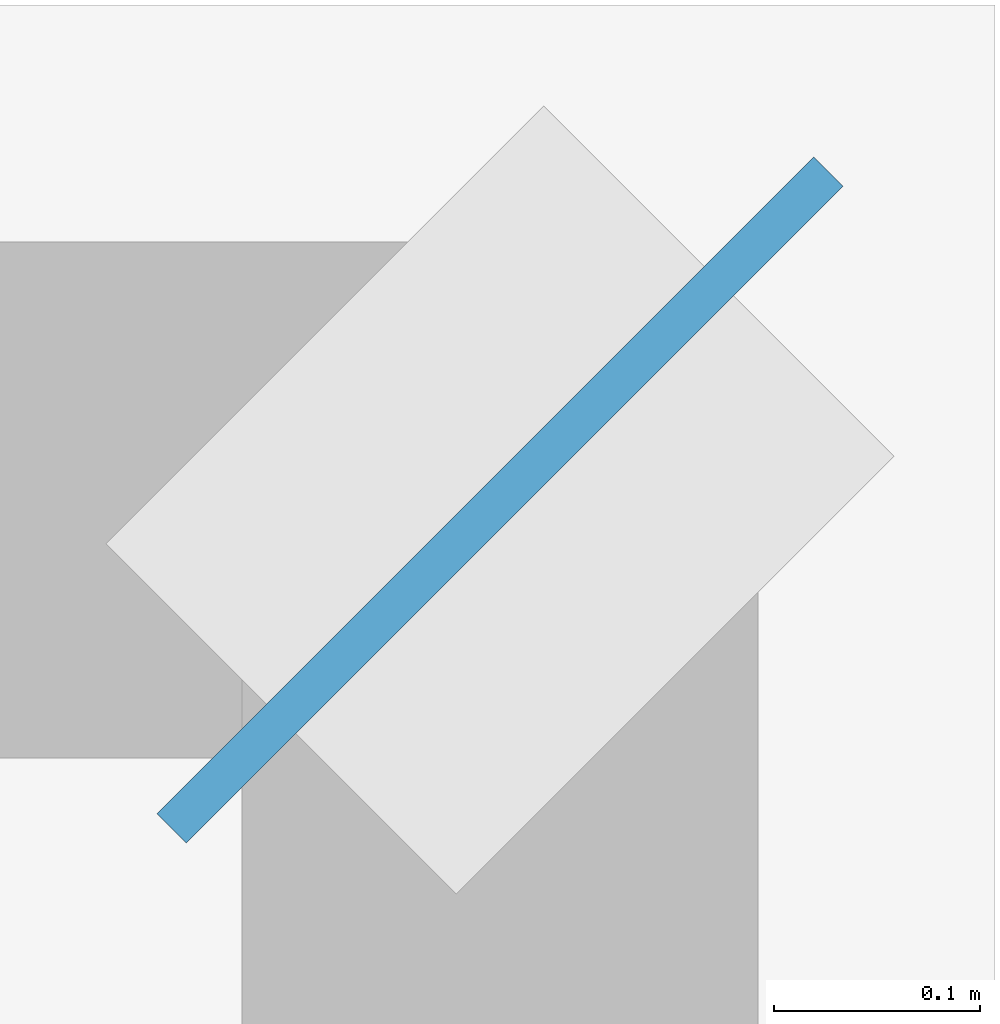
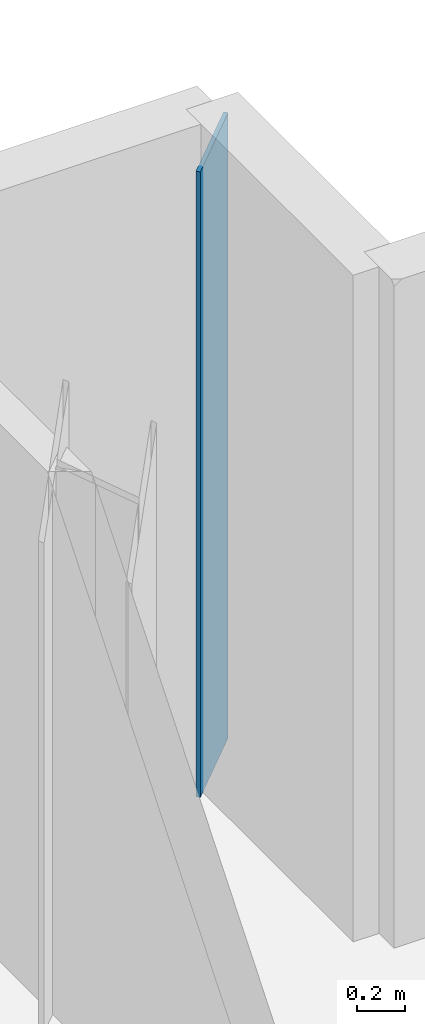
# One storey, part 35 of 43: 1 plate.
"""IFC4 building model written with IfcOpenShell, lengths in metres."""

from ifc_helpers import new_model, si_unit, direction, frame, origin, origin_2d, place, context, subcontext, project, spatial, rectangle, extrude, source, transform, mapped, material, layer, layer_set, type_object, element, save


model = new_model("IFC4")

# Units and contexts
model_context = context("Model", 3, precision=1e-05, world=origin(), true_north=direction((0.0, 1.0)))
body_context = subcontext(model_context, "Body", "Model", "MODEL_VIEW")
ifc_project = project(units=[si_unit("LENGTHUNIT", "METRE"), si_unit("AREAUNIT", "SQUARE_METRE"), si_unit("VOLUMEUNIT", "CUBIC_METRE"), si_unit("PLANEANGLEUNIT", "RADIAN"), si_unit("MASSUNIT", "GRAM", prefix="KILO")], contexts=[model_context])

# Site, building, storey
site_placement = place(None, origin())
site = spatial("IfcSite", under=ifc_project, at=site_placement, CompositionType="ELEMENT")
building_placement = place(site_placement, origin())
building = spatial("IfcBuilding", under=site, at=building_placement, Name="Nahalor Promenade Grand Hotel", CompositionType="ELEMENT")
storey_placement = place(building_placement, frame((0.0, 0.0, 204.89990234375)))
storey = spatial("IfcBuildingStorey", under=building, at=storey_placement, Name="L52", CompositionType="ELEMENT", Elevation=204.89990234375)

# Plate
ifc_material = material(Name="Anodised Bronze Aluminium EN AW-6063 T6", Category="aluminium")
ifc_layer = layer(ifc_material, 0.02001953125)
ifc_layer_set = layer_set([ifc_layer], Name="Anodised Bronze Aluminium EN AW-6063 T6")
plate_type = type_object("IfcPlateType", Name="Plate-CornerFin-20", PredefinedType="SHEET", material=ifc_layer_set)
shared_shape = source(origin(), body_context, "Body", "SweptSolid", [
    extrude(rectangle(XDim=0.449951171875, YDim=0.02001953125, at=origin_2d()), origin(), (0.0, 0.0, 1.0), 3.199951171875),
])
plate_placement = place(storey_placement, frame((22.56005859375, 22.56005859375, 0.0), z_axis=(0.0, 0.0, 1.0), x_axis=(0.707106781187, 0.707106781187, 0.0)))
element("IfcPlate", 1, at=plate_placement, inside=storey, type_object=plate_type, Name="FIN-L52-NE", PredefinedType="SHEET", context=body_context, shape_type="MappedRepresentation", body=[
    mapped(shared_shape, transform((0.0, 0.0, 0.0), scale=1.0)),
])

save(model, "model.ifc")
